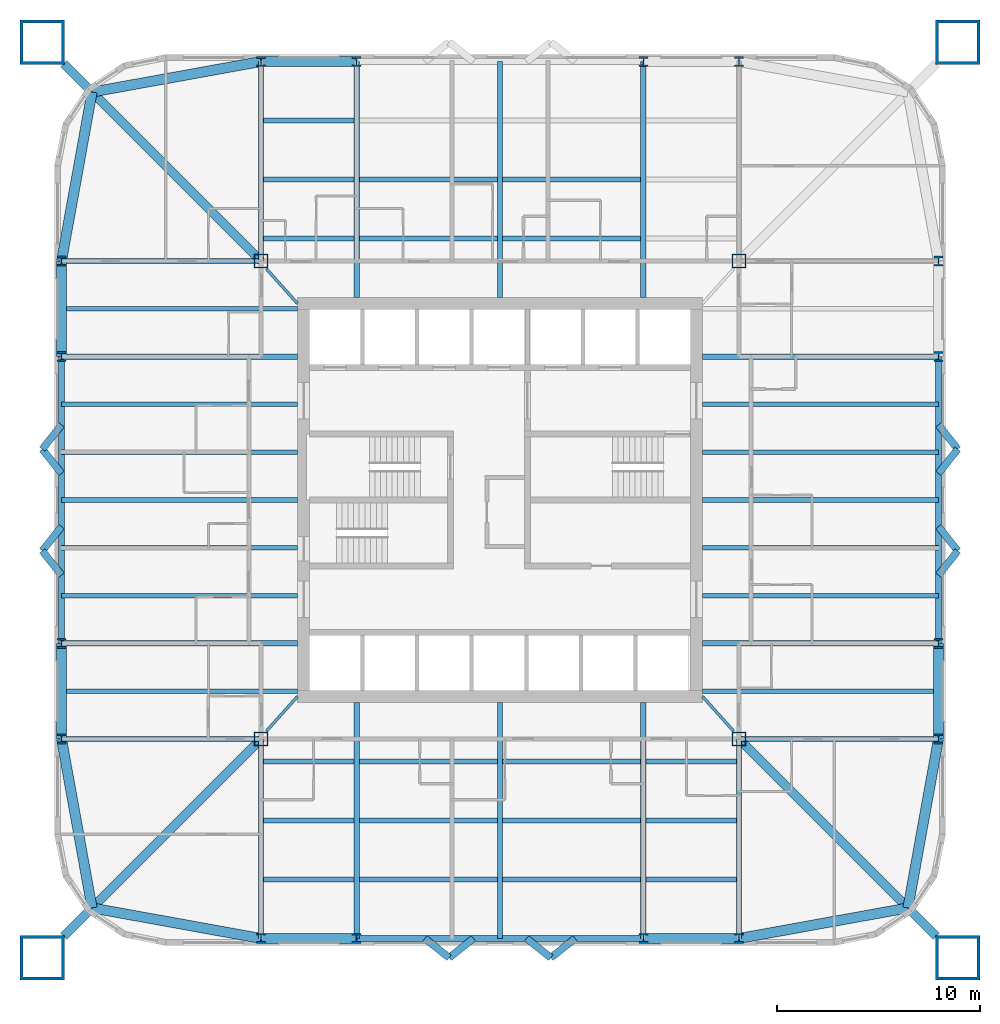
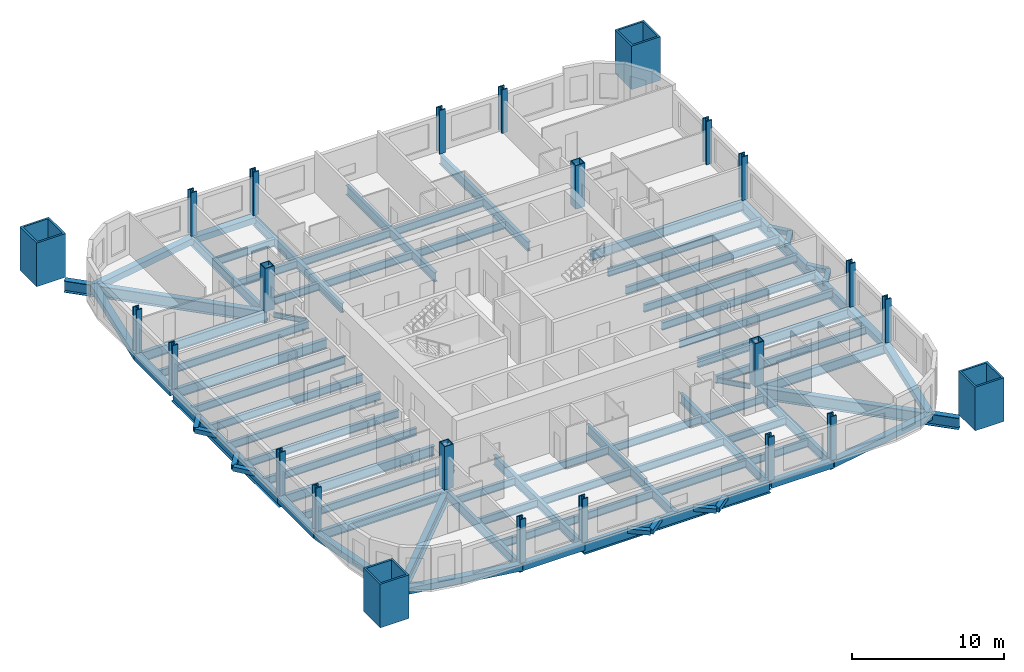
# One storey, part 1 of 10: 81 beams, 24 columns.
"""IFC4 building model written with IfcOpenShell, lengths in metres."""

from ifc_helpers import new_model, si_unit, direction, frame, origin, origin_2d, place, context, subcontext, project, spatial, hollow_rectangle, i_section, extrude, material, material_profile, profile_set, type_object, element, save


model = new_model("IFC4")

# Units and contexts
model_context = context("Model", 3, precision=1e-05, world=origin(), true_north=direction((0.0, 1.0)))
body_context = subcontext(model_context, "Body", "Model", "MODEL_VIEW")
ifc_project = project(units=[si_unit("LENGTHUNIT", "METRE"), si_unit("AREAUNIT", "SQUARE_METRE"), si_unit("VOLUMEUNIT", "CUBIC_METRE"), si_unit("PLANEANGLEUNIT", "RADIAN"), si_unit("MASSUNIT", "GRAM", prefix="KILO")], contexts=[model_context])

# Site, building, storey
site_placement = place(None, origin())
site = spatial("IfcSite", under=ifc_project, at=site_placement, CompositionType="ELEMENT")
building_placement = place(site_placement, origin())
building = spatial("IfcBuilding", under=site, at=building_placement, Name="Turquesa Mirador Hotel Tower", CompositionType="ELEMENT")
storey_placement = place(building_placement, frame((0.0, 0.0, 53.0)))
storey = spatial("IfcBuildingStorey", under=building, at=storey_placement, Name="L13", CompositionType="ELEMENT", Elevation=53.0)

# Columns
ifc_material_1 = material(Name="Steel ASTM A572 Grade 50", Category="steel")
ifc_material_profile_1 = material_profile(ifc_material_1, hollow_rectangle(XDim=0.699951171875, YDim=0.699951171875, WallThickness=0.06005859375, at=origin_2d()), Name="BOX700X700X60")
ifc_profile_set_1 = profile_set([ifc_material_profile_1], Name="Steel ASTM A572 Grade 50")
column_type_1 = type_object("IfcColumnType", Name="COLUMN BOX700X700X60", PredefinedType="COLUMN", material=ifc_profile_set_1)
for number, where, z_axis, x_axis, name in (
    (1, (43.199951171875, 33.199951171875, 0.0), (0.0, 0.0, 1.0), (1.0, 0.0, 0.0), "COL-L13-K--11.80--11.80"),
    (2, (43.199951171875, 56.800048828125, 0.0), (0.0, 0.0, 1.0), (1.0, 0.0, 0.0), "COL-L13-K--11.80-+11.80"),
    (3, (66.800048828125, 33.199951171875, 0.0), (0.0, 0.0, 1.0), (1.0, 0.0, 0.0), "COL-L13-K-+11.80--11.80"),
    (4, (66.800048828125, 56.800048828125, 0.0), (0.0, 0.0, 1.0), (1.0, 0.0, 0.0), "COL-L13-K-+11.80-+11.80"),
):
    element("IfcColumn", number, at=place(storey_placement, frame(where, z_axis=z_axis, x_axis=x_axis)), inside=storey, type_object=column_type_1, Name=name, PredefinedType="COLUMN", context=body_context, shape_type="SweptSolid", body=[
        extrude(hollow_rectangle(XDim=0.699951171875, YDim=0.699951171875, WallThickness=0.06005859375, at=origin_2d()), origin(), (0.0, 0.0, 1.0), 3.5),
    ])
ifc_material_2 = material(Name="Steel ASTM A992 Grade 50", Category="steel")
ifc_material_profile_2 = material_profile(ifc_material_2, i_section(OverallWidth=0.431884765625, OverallDepth=0.497802734375, WebThickness=0.0556640625, FlangeThickness=0.0888671875, at=origin_2d()), Name="W14X500")
ifc_profile_set_2 = profile_set([ifc_material_profile_2], Name="Steel ASTM A992 Grade 50")
column_type_2 = type_object("IfcColumnType", Name="COLUMN W14X500", PredefinedType="COLUMN", material=ifc_profile_set_2)
for number, where, z_axis, x_axis, name in (
    (5, (33.35009765625, 33.199951171875, 0.0), (0.0, 0.0, 1.0), (1.0, 0.0, 0.0), "COL-L13-P--21.65--11.80"),
    (6, (33.35009765625, 37.919921875, 0.0), (0.0, 0.0, 1.0), (1.0, 0.0, 0.0), "COL-L13-P--21.65--7.08"),
    (7, (33.35009765625, 52.080078125, 0.0), (0.0, 0.0, 1.0), (1.0, 0.0, 0.0), "COL-L13-P--21.65-+7.08"),
    (8, (33.35009765625, 56.800048828125, 0.0), (0.0, 0.0, 1.0), (1.0, 0.0, 0.0), "COL-L13-P--21.65-+11.80"),
    (9, (43.199951171875, 23.35009765625, 0.0), (0.0, 0.0, 1.0), (1.0, 0.0, 0.0), "COL-L13-P--11.80--21.65"),
    (10, (43.199951171875, 66.64990234375, 0.0), (0.0, 0.0, 1.0), (1.0, 0.0, 0.0), "COL-L13-P--11.80-+21.65"),
    (11, (47.919921875, 23.35009765625, 0.0), (0.0, 0.0, 1.0), (1.0, 0.0, 0.0), "COL-L13-P--7.08--21.65"),
    (12, (47.919921875, 66.64990234375, 0.0), (0.0, 0.0, 1.0), (1.0, 0.0, 0.0), "COL-L13-P--7.08-+21.65"),
    (13, (62.080078125, 23.35009765625, 0.0), (0.0, 0.0, 1.0), (1.0, 0.0, 0.0), "COL-L13-P-+7.08--21.65"),
    (14, (62.080078125, 66.64990234375, 0.0), (0.0, 0.0, 1.0), (1.0, 0.0, 0.0), "COL-L13-P-+7.08-+21.65"),
    (15, (66.800048828125, 23.35009765625, 0.0), (0.0, 0.0, 1.0), (1.0, 0.0, 0.0), "COL-L13-P-+11.80--21.65"),
    (16, (66.800048828125, 66.64990234375, 0.0), (0.0, 0.0, 1.0), (1.0, 0.0, 0.0), "COL-L13-P-+11.80-+21.65"),
    (17, (76.64990234375, 33.199951171875, 0.0), (0.0, 0.0, 1.0), (1.0, 0.0, 0.0), "COL-L13-P-+21.65--11.80"),
    (18, (76.64990234375, 37.919921875, 0.0), (0.0, 0.0, 1.0), (1.0, 0.0, 0.0), "COL-L13-P-+21.65--7.08"),
    (19, (76.64990234375, 52.080078125, 0.0), (0.0, 0.0, 1.0), (1.0, 0.0, 0.0), "COL-L13-P-+21.65-+7.08"),
    (20, (76.64990234375, 56.800048828125, 0.0), (0.0, 0.0, 1.0), (1.0, 0.0, 0.0), "COL-L13-P-+21.65-+11.80"),
):
    element("IfcColumn", number, at=place(storey_placement, frame(where, z_axis=z_axis, x_axis=x_axis)), inside=storey, type_object=column_type_2, Name=name, PredefinedType="COLUMN", context=body_context, shape_type="SweptSolid", body=[
        extrude(i_section(OverallWidth=0.431884765625, OverallDepth=0.497802734375, WebThickness=0.0556640625, FlangeThickness=0.0888671875, at=origin_2d()), origin(), (0.0, 0.0, 1.0), 3.5),
    ])
ifc_material_3 = material(Name="Steel ASTM A514 Grade Q", Category="steel")
ifc_material_profile_3 = material_profile(ifc_material_3, hollow_rectangle(XDim=2.199951171875, YDim=2.199951171875, WallThickness=0.14990234375, at=origin_2d()), Name="BOX2200X2200X150")
ifc_profile_set_3 = profile_set([ifc_material_profile_3], Name="Steel ASTM A514 Grade Q")
column_type_3 = type_object("IfcColumnType", Name="MEGA COLUMN BOX2200X2200X150", PredefinedType="COLUMN", material=ifc_profile_set_3)
for number, where, z_axis, x_axis, name in (
    (21, (77.60009765625, 67.60009765625, 0.0), (0.0, 0.0, 1.0), (1.0, 0.0, 0.0), "Mega column M1"),
    (22, (32.39990234375, 67.60009765625, 0.0), (0.0, 0.0, 1.0), (1.0, 0.0, 0.0), "Mega column M2"),
    (23, (32.39990234375, 22.39990234375, 0.0), (0.0, 0.0, 1.0), (1.0, 0.0, 0.0), "Mega column M3"),
    (24, (77.60009765625, 22.39990234375, 0.0), (0.0, 0.0, 1.0), (1.0, 0.0, 0.0), "Mega column M4"),
):
    element("IfcColumn", number, at=place(storey_placement, frame(where, z_axis=z_axis, x_axis=x_axis)), inside=storey, type_object=column_type_3, Name=name, PredefinedType="COLUMN", context=body_context, shape_type="SweptSolid", body=[
        extrude(hollow_rectangle(XDim=2.199951171875, YDim=2.199951171875, WallThickness=0.14990234375, at=origin_2d()), origin(), (0.0, 0.0, 1.0), 3.5),
    ])

# Beams
ifc_material_4 = material(Name="Steel ASTM A572 Grade 50", Category="steel")
ifc_material_profile_4 = material_profile(ifc_material_4, hollow_rectangle(XDim=0.5, YDim=0.5, WallThickness=0.01611328125, at=origin_2d()), Name="BOX500X500X16")
ifc_profile_set_4 = profile_set([ifc_material_profile_4], Name="Steel ASTM A572 Grade 50")
beam_type_1 = type_object("IfcBeamType", Name="BEAM BOX500X500X16", PredefinedType="BEAM", material=ifc_profile_set_4)
for number, where, z_axis, x_axis, name in (
    (25, (43.199951171875, 66.64990234375, -0.419921875), (1.0, 0.0, 0.0), (0.0, 1.0, 0.0), "EB-L13-N-L"),
    (26, (43.199951171875, 23.35009765625, -0.419921875), (1.0, 0.0, 0.0), (0.0, 1.0, 0.0), "EB-L13-S-L"),
    (27, (62.080078125, 23.35009765625, -0.419921875), (1.0, 0.0, 0.0), (0.0, 1.0, 0.0), "EB-L13-S-R"),
    (28, (76.64990234375, 33.199951171875, -0.419921875), (0.0, 1.0, 0.0), (-1.0, 0.0, 0.0), "EB-L13-E-L"),
    (29, (33.35009765625, 33.199951171875, -0.419921875), (0.0, 1.0, 0.0), (-1.0, 0.0, 0.0), "EB-L13-W-L"),
    (30, (33.35009765625, 52.080078125, -0.419921875), (0.0, 1.0, 0.0), (-1.0, 0.0, 0.0), "EB-L13-W-R"),
):
    element("IfcBeam", number, at=place(storey_placement, frame(where, z_axis=z_axis, x_axis=x_axis)), inside=storey, type_object=beam_type_1, Name=name, PredefinedType="BEAM", context=body_context, shape_type="SweptSolid", body=[
        extrude(hollow_rectangle(XDim=0.5, YDim=0.5, WallThickness=0.01611328125, at=origin_2d()), origin(), (0.0, 0.0, 1.0), 4.719970703125),
    ])
for number, where, z_axis, x_axis, name in (
    (31, (33.35009765625, 56.800048828125, -0.419921875), (0.177932387818, 0.984042715214, 0.0), (-0.984042715214, 0.177932387818, 0.0), "KE-L13-2-0"),
    (32, (34.8583984375, 65.1416015625, -0.419921875), (0.984042715214, 0.177932387818, 0.0), (-0.177932387818, 0.984042715214, 0.0), "KE-L13-2-1"),
    (33, (33.35009765625, 33.199951171875, -0.419921875), (0.177932387818, -0.984042715214, 0.0), (0.984042715214, 0.177932387818, 0.0), "KE-L13-3-0"),
    (34, (34.8583984375, 24.8583984375, -0.419921875), (0.984042715214, -0.177932387818, 0.0), (0.177932387818, 0.984042715214, 0.0), "KE-L13-3-1"),
    (35, (76.64990234375, 33.199951171875, -0.419921875), (-0.177932387818, -0.984042715214, 0.0), (0.984042715214, -0.177932387818, 0.0), "KE-L13-4-0"),
    (36, (75.1416015625, 24.8583984375, -0.419921875), (-0.984042715214, -0.177932387818, 0.0), (0.177932387818, -0.984042715214, 0.0), "KE-L13-4-1"),
):
    element("IfcBeam", number, at=place(storey_placement, frame(where, z_axis=z_axis, x_axis=x_axis)), inside=storey, type_object=beam_type_1, Name=name, PredefinedType="BEAM", context=body_context, shape_type="SweptSolid", body=[
        extrude(hollow_rectangle(XDim=0.5, YDim=0.5, WallThickness=0.01611328125, at=origin_2d()), origin(), (0.0, 0.0, 1.0), 8.476806640625),
    ])
ifc_material_5 = material(Name="Steel ASTM A992 Grade 50", Category="steel")
ifc_material_profile_5 = material_profile(ifc_material_5, i_section(OverallWidth=0.140380859375, OverallDepth=0.40380859375, WebThickness=0.007080078125, FlangeThickness=0.01123046875, at=origin_2d()), Name="W16X31")
ifc_profile_set_5 = profile_set([ifc_material_profile_5], Name="Steel ASTM A992 Grade 50")
beam_type_2 = type_object("IfcBeamType", Name="BEAM W16X31", PredefinedType="BEAM", material=ifc_profile_set_5)
for number, where, z_axis, x_axis, name in (
    (37, (43.470458984375, 56.40966796875, -0.371826171875), (0.666745084392, -0.745285846129, 0.0), (0.745285846129, 0.666745084392, 0.0), "KT-L13-2"),
    (38, (43.470458984375, 33.59033203125, -0.371826171875), (0.666745084392, 0.745285846129, 0.0), (-0.745285846129, 0.666745084392, 0.0), "KT-L13-3"),
    (39, (66.529541015625, 33.59033203125, -0.371826171875), (-0.666745084392, 0.745285846129, 0.0), (-0.745285846129, -0.666745084392, 0.0), "KT-L13-4"),
):
    element("IfcBeam", number, at=place(storey_placement, frame(where, z_axis=z_axis, x_axis=x_axis)), inside=storey, type_object=beam_type_2, Name=name, PredefinedType="BEAM", context=body_context, shape_type="SweptSolid", body=[
        extrude(i_section(OverallWidth=0.140380859375, OverallDepth=0.40380859375, WebThickness=0.007080078125, FlangeThickness=0.01123046875, at=origin_2d()), origin(), (0.0, 0.0, 1.0), 2.2939453125),
    ])
ifc_material_6 = material(Name="Steel ASTM A992 Grade 50", Category="steel")
ifc_material_profile_6 = material_profile(ifc_material_6, i_section(OverallWidth=0.228271484375, OverallDepth=0.607177734375, WebThickness=0.01123046875, FlangeThickness=0.017333984375, at=origin_2d()), Name="W24X76")
ifc_profile_set_6 = profile_set([ifc_material_profile_6], Name="Steel ASTM A992 Grade 50")
beam_type_3 = type_object("IfcBeamType", Name="BEAM W24X76", PredefinedType="BEAM", material=ifc_profile_set_6)
beam_1_placement = place(storey_placement, frame((43.333251953125, 57.912109375, -0.4736328125), z_axis=(1.0, 0.0, 0.0), x_axis=(0.0, 1.0, 0.0)))
element("IfcBeam", 40, at=beam_1_placement, inside=storey, type_object=beam_type_3, Name="IB-L13-N-1-0", PredefinedType="BEAM", context=body_context, shape_type="SweptSolid", body=[
    extrude(i_section(OverallWidth=0.228271484375, OverallDepth=0.607177734375, WebThickness=0.01123046875, FlangeThickness=0.017333984375, at=origin_2d()), origin(), (0.0, 0.0, 1.0), 4.453369140625),
])
for number, where, z_axis, x_axis, name in (
    (41, (48.053466796875, 57.912109375, -0.4736328125), (1.0, 0.0, 0.0), (0.0, 1.0, 0.0), "IB-L13-N-1-1"),
    (42, (55.13330078125, 57.912109375, -0.4736328125), (1.0, 0.0, 0.0), (0.0, 1.0, 0.0), "IB-L13-N-1-2"),
):
    element("IfcBeam", number, at=place(storey_placement, frame(where, z_axis=z_axis, x_axis=x_axis)), inside=storey, type_object=beam_type_3, Name=name, PredefinedType="BEAM", context=body_context, shape_type="SweptSolid", body=[
        extrude(i_section(OverallWidth=0.228271484375, OverallDepth=0.607177734375, WebThickness=0.01123046875, FlangeThickness=0.017333984375, at=origin_2d()), origin(), (0.0, 0.0, 1.0), 6.813232421875),
    ])
beam_2_placement = place(storey_placement, frame((43.333251953125, 60.824951171875, -0.4736328125), z_axis=(1.0, 0.0, 0.0), x_axis=(0.0, 1.0, 0.0)))
element("IfcBeam", 43, at=beam_2_placement, inside=storey, type_object=beam_type_3, Name="IB-L13-N-2-0", PredefinedType="BEAM", context=body_context, shape_type="SweptSolid", body=[
    extrude(i_section(OverallWidth=0.228271484375, OverallDepth=0.607177734375, WebThickness=0.01123046875, FlangeThickness=0.017333984375, at=origin_2d()), origin(), (0.0, 0.0, 1.0), 4.453369140625),
])
for number, where, z_axis, x_axis, name in (
    (44, (48.053466796875, 60.824951171875, -0.4736328125), (1.0, 0.0, 0.0), (0.0, 1.0, 0.0), "IB-L13-N-2-1"),
    (45, (55.13330078125, 60.824951171875, -0.4736328125), (1.0, 0.0, 0.0), (0.0, 1.0, 0.0), "IB-L13-N-2-2"),
):
    element("IfcBeam", number, at=place(storey_placement, frame(where, z_axis=z_axis, x_axis=x_axis)), inside=storey, type_object=beam_type_3, Name=name, PredefinedType="BEAM", context=body_context, shape_type="SweptSolid", body=[
        extrude(i_section(OverallWidth=0.228271484375, OverallDepth=0.607177734375, WebThickness=0.01123046875, FlangeThickness=0.017333984375, at=origin_2d()), origin(), (0.0, 0.0, 1.0), 6.813232421875),
    ])
for number, where, z_axis, x_axis, name in (
    (46, (43.333251953125, 63.737060546875, -0.4736328125), (1.0, 0.0, 0.0), (0.0, 1.0, 0.0), "IB-L13-N-3-0"),
    (47, (43.333251953125, 32.087890625, -0.4736328125), (1.0, 0.0, 0.0), (0.0, 1.0, 0.0), "IB-L13-S-1-0"),
):
    element("IfcBeam", number, at=place(storey_placement, frame(where, z_axis=z_axis, x_axis=x_axis)), inside=storey, type_object=beam_type_3, Name=name, PredefinedType="BEAM", context=body_context, shape_type="SweptSolid", body=[
        extrude(i_section(OverallWidth=0.228271484375, OverallDepth=0.607177734375, WebThickness=0.01123046875, FlangeThickness=0.017333984375, at=origin_2d()), origin(), (0.0, 0.0, 1.0), 4.453369140625),
    ])
for number, where, z_axis, x_axis, name in (
    (48, (48.053466796875, 32.087890625, -0.4736328125), (1.0, 0.0, 0.0), (0.0, 1.0, 0.0), "IB-L13-S-1-1"),
    (49, (55.13330078125, 32.087890625, -0.4736328125), (1.0, 0.0, 0.0), (0.0, 1.0, 0.0), "IB-L13-S-1-2"),
):
    element("IfcBeam", number, at=place(storey_placement, frame(where, z_axis=z_axis, x_axis=x_axis)), inside=storey, type_object=beam_type_3, Name=name, PredefinedType="BEAM", context=body_context, shape_type="SweptSolid", body=[
        extrude(i_section(OverallWidth=0.228271484375, OverallDepth=0.607177734375, WebThickness=0.01123046875, FlangeThickness=0.017333984375, at=origin_2d()), origin(), (0.0, 0.0, 1.0), 6.813232421875),
    ])
for number, where, z_axis, x_axis, name in (
    (50, (62.21337890625, 32.087890625, -0.4736328125), (1.0, 0.0, 0.0), (0.0, 1.0, 0.0), "IB-L13-S-1-3"),
    (51, (43.333251953125, 29.175048828125, -0.4736328125), (1.0, 0.0, 0.0), (0.0, 1.0, 0.0), "IB-L13-S-2-0"),
):
    element("IfcBeam", number, at=place(storey_placement, frame(where, z_axis=z_axis, x_axis=x_axis)), inside=storey, type_object=beam_type_3, Name=name, PredefinedType="BEAM", context=body_context, shape_type="SweptSolid", body=[
        extrude(i_section(OverallWidth=0.228271484375, OverallDepth=0.607177734375, WebThickness=0.01123046875, FlangeThickness=0.017333984375, at=origin_2d()), origin(), (0.0, 0.0, 1.0), 4.453369140625),
    ])
for number, where, z_axis, x_axis, name in (
    (52, (48.053466796875, 29.175048828125, -0.4736328125), (1.0, 0.0, 0.0), (0.0, 1.0, 0.0), "IB-L13-S-2-1"),
    (53, (55.13330078125, 29.175048828125, -0.4736328125), (1.0, 0.0, 0.0), (0.0, 1.0, 0.0), "IB-L13-S-2-2"),
):
    element("IfcBeam", number, at=place(storey_placement, frame(where, z_axis=z_axis, x_axis=x_axis)), inside=storey, type_object=beam_type_3, Name=name, PredefinedType="BEAM", context=body_context, shape_type="SweptSolid", body=[
        extrude(i_section(OverallWidth=0.228271484375, OverallDepth=0.607177734375, WebThickness=0.01123046875, FlangeThickness=0.017333984375, at=origin_2d()), origin(), (0.0, 0.0, 1.0), 6.813232421875),
    ])
for number, where, z_axis, x_axis, name in (
    (54, (62.21337890625, 29.175048828125, -0.4736328125), (1.0, 0.0, 0.0), (0.0, 1.0, 0.0), "IB-L13-S-2-3"),
    (55, (43.333251953125, 26.262939453125, -0.4736328125), (1.0, 0.0, 0.0), (0.0, 1.0, 0.0), "IB-L13-S-3-0"),
):
    element("IfcBeam", number, at=place(storey_placement, frame(where, z_axis=z_axis, x_axis=x_axis)), inside=storey, type_object=beam_type_3, Name=name, PredefinedType="BEAM", context=body_context, shape_type="SweptSolid", body=[
        extrude(i_section(OverallWidth=0.228271484375, OverallDepth=0.607177734375, WebThickness=0.01123046875, FlangeThickness=0.017333984375, at=origin_2d()), origin(), (0.0, 0.0, 1.0), 4.453369140625),
    ])
for number, where, z_axis, x_axis, name in (
    (56, (48.053466796875, 26.262939453125, -0.4736328125), (1.0, 0.0, 0.0), (0.0, 1.0, 0.0), "IB-L13-S-3-1"),
    (57, (55.13330078125, 26.262939453125, -0.4736328125), (1.0, 0.0, 0.0), (0.0, 1.0, 0.0), "IB-L13-S-3-2"),
):
    element("IfcBeam", number, at=place(storey_placement, frame(where, z_axis=z_axis, x_axis=x_axis)), inside=storey, type_object=beam_type_3, Name=name, PredefinedType="BEAM", context=body_context, shape_type="SweptSolid", body=[
        extrude(i_section(OverallWidth=0.228271484375, OverallDepth=0.607177734375, WebThickness=0.01123046875, FlangeThickness=0.017333984375, at=origin_2d()), origin(), (0.0, 0.0, 1.0), 6.813232421875),
    ])
beam_3_placement = place(storey_placement, frame((62.21337890625, 26.262939453125, -0.4736328125), z_axis=(1.0, 0.0, 0.0), x_axis=(0.0, 1.0, 0.0)))
element("IfcBeam", 58, at=beam_3_placement, inside=storey, type_object=beam_type_3, Name="IB-L13-S-3-3", PredefinedType="BEAM", context=body_context, shape_type="SweptSolid", body=[
    extrude(i_section(OverallWidth=0.228271484375, OverallDepth=0.607177734375, WebThickness=0.01123046875, FlangeThickness=0.017333984375, at=origin_2d()), origin(), (0.0, 0.0, 1.0), 4.453369140625),
])
for number, where, z_axis, x_axis, name in (
    (59, (76.64990234375, 35.56005859375, -0.4736328125), (-1.0, 0.0, 0.0), (0.0, -1.0, 0.0), "BM-L13-E--9.44"),
    (60, (76.64990234375, 40.280029296875, -0.4736328125), (-1.0, 0.0, 0.0), (0.0, -1.0, 0.0), "BM-L13-E--4.72"),
    (61, (76.64990234375, 42.639892578125, -0.4736328125), (-1.0, 0.0, 0.0), (0.0, -1.0, 0.0), "BM-L13-E--2.36"),
    (62, (76.64990234375, 45.0, -0.4736328125), (-1.0, 0.0, 0.0), (0.0, -1.0, 0.0), "BM-L13-E-+0.00"),
    (63, (76.64990234375, 47.360107421875, -0.4736328125), (-1.0, 0.0, 0.0), (0.0, -1.0, 0.0), "BM-L13-E-+2.36"),
    (64, (76.64990234375, 49.719970703125, -0.4736328125), (-1.0, 0.0, 0.0), (0.0, -1.0, 0.0), "BM-L13-E-+4.72"),
    (65, (33.35009765625, 35.56005859375, -0.4736328125), (1.0, 0.0, 0.0), (0.0, 1.0, 0.0), "BM-L13-W--9.44"),
    (66, (33.35009765625, 40.280029296875, -0.4736328125), (1.0, 0.0, 0.0), (0.0, 1.0, 0.0), "BM-L13-W--4.72"),
    (67, (33.35009765625, 42.639892578125, -0.4736328125), (1.0, 0.0, 0.0), (0.0, 1.0, 0.0), "BM-L13-W--2.36"),
    (68, (33.35009765625, 45.0, -0.4736328125), (1.0, 0.0, 0.0), (0.0, 1.0, 0.0), "BM-L13-W-+0.00"),
    (69, (33.35009765625, 47.360107421875, -0.4736328125), (1.0, 0.0, 0.0), (0.0, 1.0, 0.0), "BM-L13-W-+2.36"),
    (70, (33.35009765625, 49.719970703125, -0.4736328125), (1.0, 0.0, 0.0), (0.0, 1.0, 0.0), "BM-L13-W-+4.72"),
    (71, (33.35009765625, 54.43994140625, -0.4736328125), (1.0, 0.0, 0.0), (0.0, 1.0, 0.0), "BM-L13-W-+9.44"),
):
    element("IfcBeam", number, at=place(storey_placement, frame(where, z_axis=z_axis, x_axis=x_axis)), inside=storey, type_object=beam_type_3, Name=name, PredefinedType="BEAM", context=body_context, shape_type="SweptSolid", body=[
        extrude(i_section(OverallWidth=0.228271484375, OverallDepth=0.607177734375, WebThickness=0.01123046875, FlangeThickness=0.017333984375, at=origin_2d()), origin(), (0.0, 0.0, 1.0), 11.64990234375),
    ])
ifc_material_7 = material(Name="Steel ASTM A992 Grade 50", Category="steel")
ifc_material_profile_7 = material_profile(ifc_material_7, i_section(OverallWidth=0.2666015625, OverallDepth=0.7568359375, WebThickness=0.013916015625, FlangeThickness=0.019287109375, at=origin_2d()), Name="W30X108")
ifc_profile_set_7 = profile_set([ifc_material_profile_7], Name="Steel ASTM A992 Grade 50")
beam_type_4 = type_object("IfcBeamType", Name="BEAM W30X108", PredefinedType="BEAM", material=ifc_profile_set_7)
for number, where, z_axis, x_axis, name in (
    (72, (47.919921875, 66.64990234375, -0.54833984375), (0.0, -1.0, 0.0), (1.0, 0.0, 0.0), "GD-L13-N--7.08"),
    (73, (62.080078125, 66.64990234375, -0.54833984375), (0.0, -1.0, 0.0), (1.0, 0.0, 0.0), "GD-L13-N-+7.08"),
    (74, (55.0, 66.64990234375, -0.54833984375), (0.0, -1.0, 0.0), (1.0, 0.0, 0.0), "GD-L13-N-+0.00"),
):
    element("IfcBeam", number, at=place(storey_placement, frame(where, z_axis=z_axis, x_axis=x_axis)), inside=storey, type_object=beam_type_4, Name=name, PredefinedType="BEAM", context=body_context, shape_type="SweptSolid", body=[
        extrude(i_section(OverallWidth=0.2666015625, OverallDepth=0.7568359375, WebThickness=0.013916015625, FlangeThickness=0.019287109375, at=origin_2d()), origin(), (0.0, 0.0, 1.0), 11.64990234375),
    ])
beam_4_placement = place(storey_placement, frame((43.199951171875, 66.64990234375, -0.54833984375), z_axis=(0.0, -1.0, 0.0), x_axis=(1.0, 0.0, 0.0)))
element("IfcBeam", 75, at=beam_4_placement, inside=storey, type_object=beam_type_4, Name="GK-L13-N--11.80", PredefinedType="BEAM", context=body_context, shape_type="SweptSolid", body=[
    extrude(i_section(OverallWidth=0.2666015625, OverallDepth=0.7568359375, WebThickness=0.013916015625, FlangeThickness=0.019287109375, at=origin_2d()), origin(), (0.0, 0.0, 1.0), 9.849853515625),
])
for number, where, z_axis, x_axis, name in (
    (76, (47.919921875, 23.35009765625, -0.54833984375), (0.0, 1.0, 0.0), (-1.0, 0.0, 0.0), "GD-L13-S--7.08"),
    (77, (62.080078125, 23.35009765625, -0.54833984375), (0.0, 1.0, 0.0), (-1.0, 0.0, 0.0), "GD-L13-S-+7.08"),
    (78, (55.0, 23.35009765625, -0.54833984375), (0.0, 1.0, 0.0), (-1.0, 0.0, 0.0), "GD-L13-S-+0.00"),
):
    element("IfcBeam", number, at=place(storey_placement, frame(where, z_axis=z_axis, x_axis=x_axis)), inside=storey, type_object=beam_type_4, Name=name, PredefinedType="BEAM", context=body_context, shape_type="SweptSolid", body=[
        extrude(i_section(OverallWidth=0.2666015625, OverallDepth=0.7568359375, WebThickness=0.013916015625, FlangeThickness=0.019287109375, at=origin_2d()), origin(), (0.0, 0.0, 1.0), 11.64990234375),
    ])
for number, where, z_axis, x_axis, name in (
    (79, (43.199951171875, 23.35009765625, -0.54833984375), (0.0, 1.0, 0.0), (-1.0, 0.0, 0.0), "GK-L13-S--11.80"),
    (80, (66.800048828125, 23.35009765625, -0.54833984375), (0.0, 1.0, 0.0), (-1.0, 0.0, 0.0), "GK-L13-S-+11.80"),
):
    element("IfcBeam", number, at=place(storey_placement, frame(where, z_axis=z_axis, x_axis=x_axis)), inside=storey, type_object=beam_type_4, Name=name, PredefinedType="BEAM", context=body_context, shape_type="SweptSolid", body=[
        extrude(i_section(OverallWidth=0.2666015625, OverallDepth=0.7568359375, WebThickness=0.013916015625, FlangeThickness=0.019287109375, at=origin_2d()), origin(), (0.0, 0.0, 1.0), 9.849853515625),
    ])
for number, where, z_axis, x_axis, name in (
    (81, (76.64990234375, 37.919921875, -0.54833984375), (-1.0, 0.0, 0.0), (0.0, -1.0, 0.0), "GD-L13-E--7.08"),
    (82, (76.64990234375, 52.080078125, -0.54833984375), (-1.0, 0.0, 0.0), (0.0, -1.0, 0.0), "GD-L13-E-+7.08"),
):
    element("IfcBeam", number, at=place(storey_placement, frame(where, z_axis=z_axis, x_axis=x_axis)), inside=storey, type_object=beam_type_4, Name=name, PredefinedType="BEAM", context=body_context, shape_type="SweptSolid", body=[
        extrude(i_section(OverallWidth=0.2666015625, OverallDepth=0.7568359375, WebThickness=0.013916015625, FlangeThickness=0.019287109375, at=origin_2d()), origin(), (0.0, 0.0, 1.0), 11.64990234375),
    ])
beam_5_placement = place(storey_placement, frame((76.64990234375, 33.199951171875, -0.54833984375), z_axis=(-1.0, 0.0, 0.0), x_axis=(0.0, -1.0, 0.0)))
element("IfcBeam", 83, at=beam_5_placement, inside=storey, type_object=beam_type_4, Name="GK-L13-E--11.80", PredefinedType="BEAM", context=body_context, shape_type="SweptSolid", body=[
    extrude(i_section(OverallWidth=0.2666015625, OverallDepth=0.7568359375, WebThickness=0.013916015625, FlangeThickness=0.019287109375, at=origin_2d()), origin(), (0.0, 0.0, 1.0), 9.849853515625),
])
for number, where, z_axis, x_axis, name in (
    (84, (33.35009765625, 37.919921875, -0.54833984375), (1.0, 0.0, 0.0), (0.0, 1.0, 0.0), "GD-L13-W--7.08"),
    (85, (33.35009765625, 52.080078125, -0.54833984375), (1.0, 0.0, 0.0), (0.0, 1.0, 0.0), "GD-L13-W-+7.08"),
):
    element("IfcBeam", number, at=place(storey_placement, frame(where, z_axis=z_axis, x_axis=x_axis)), inside=storey, type_object=beam_type_4, Name=name, PredefinedType="BEAM", context=body_context, shape_type="SweptSolid", body=[
        extrude(i_section(OverallWidth=0.2666015625, OverallDepth=0.7568359375, WebThickness=0.013916015625, FlangeThickness=0.019287109375, at=origin_2d()), origin(), (0.0, 0.0, 1.0), 11.64990234375),
    ])
for number, where, z_axis, x_axis, name in (
    (86, (33.35009765625, 33.199951171875, -0.54833984375), (1.0, 0.0, 0.0), (0.0, 1.0, 0.0), "GK-L13-W--11.80"),
    (87, (33.35009765625, 56.800048828125, -0.54833984375), (1.0, 0.0, 0.0), (0.0, 1.0, 0.0), "GK-L13-W-+11.80"),
):
    element("IfcBeam", number, at=place(storey_placement, frame(where, z_axis=z_axis, x_axis=x_axis)), inside=storey, type_object=beam_type_4, Name=name, PredefinedType="BEAM", context=body_context, shape_type="SweptSolid", body=[
        extrude(i_section(OverallWidth=0.2666015625, OverallDepth=0.7568359375, WebThickness=0.013916015625, FlangeThickness=0.019287109375, at=origin_2d()), origin(), (0.0, 0.0, 1.0), 9.849853515625),
    ])
ifc_material_8 = material(Name="Steel ASTM A992 Grade 50", Category="steel")
ifc_material_profile_8 = material_profile(ifc_material_8, i_section(OverallWidth=0.3046875, OverallDepth=0.911865234375, WebThickness=0.015869140625, FlangeThickness=0.02392578125, at=origin_2d()), Name="W36X150")
ifc_profile_set_8 = profile_set([ifc_material_profile_8], Name="Steel ASTM A992 Grade 50")
beam_type_5 = type_object("IfcBeamType", Name="BEAM W36X150", PredefinedType="BEAM", material=ifc_profile_set_8)
for number, where, z_axis, x_axis, name in (
    (88, (47.919921875, 23.35009765625, -0.6259765625), (1.0, 0.0, 0.0), (0.0, 1.0, 0.0), "EB-L13-S-C"),
    (89, (76.64990234375, 37.919921875, -0.6259765625), (0.0, 1.0, 0.0), (-1.0, 0.0, 0.0), "EB-L13-E-C"),
    (90, (33.35009765625, 37.919921875, -0.6259765625), (0.0, 1.0, 0.0), (-1.0, 0.0, 0.0), "EB-L13-W-C"),
):
    element("IfcBeam", number, at=place(storey_placement, frame(where, z_axis=z_axis, x_axis=x_axis)), inside=storey, type_object=beam_type_5, Name=name, PredefinedType="BEAM", context=body_context, shape_type="SweptSolid", body=[
        extrude(i_section(OverallWidth=0.3046875, OverallDepth=0.911865234375, WebThickness=0.015869140625, FlangeThickness=0.02392578125, at=origin_2d()), origin(), (0.0, 0.0, 1.0), 14.16015625),
    ])
ifc_material_9 = material(Name="Steel ASTM A992 Grade 50", Category="steel")
ifc_material_profile_9 = material_profile(ifc_material_9, i_section(OverallWidth=0.419189453125, OverallDepth=0.927001953125, WebThickness=0.019287109375, FlangeThickness=0.031982421875, at=origin_2d()), Name="W36X231")
ifc_profile_set_9 = profile_set([ifc_material_profile_9], Name="Steel ASTM A992 Grade 50")
beam_type_6 = type_object("IfcBeamType", Name="BEAM W36X231", PredefinedType="BEAM", material=ifc_profile_set_9)
for number, where, z_axis, x_axis, name in (
    (91, (43.199951171875, 56.800048828125, -0.633544921875), (-0.707106781187, 0.707106781187, 0.0), (-0.707106781187, -0.707106781187, 0.0), "KD-L13-2"),
    (92, (43.199951171875, 33.199951171875, -0.633544921875), (-0.707106781187, -0.707106781187, 0.0), (0.707106781187, -0.707106781187, 0.0), "KD-L13-3"),
    (93, (66.800048828125, 33.199951171875, -0.633544921875), (0.707106781187, -0.707106781187, 0.0), (0.707106781187, 0.707106781187, 0.0), "KD-L13-4"),
):
    element("IfcBeam", number, at=place(storey_placement, frame(where, z_axis=z_axis, x_axis=x_axis)), inside=storey, type_object=beam_type_6, Name=name, PredefinedType="BEAM", context=body_context, shape_type="SweptSolid", body=[
        extrude(i_section(OverallWidth=0.419189453125, OverallDepth=0.927001953125, WebThickness=0.019287109375, FlangeThickness=0.031982421875, at=origin_2d()), origin(), (0.0, 0.0, 1.0), 13.78857421875),
    ])
ifc_material_10 = material(Name="Steel ASTM A500 Grade C", Category="steel")
ifc_material_profile_10 = material_profile(ifc_material_10, hollow_rectangle(XDim=0.355712890625, YDim=0.355712890625, WallThickness=0.0146484375, at=origin_2d()), Name="HSS14X14X5/8")
ifc_profile_set_10 = profile_set([ifc_material_profile_10], Name="Steel ASTM A500 Grade C")
beam_type_7 = type_object("IfcBeamType", Name="BRACE STRUT HSS14X14X5/8", PredefinedType="BEAM", material=ifc_profile_set_10)
beam_6_placement = place(storey_placement, frame((52.48876953125, 22.39990234375, -0.347900390625), z_axis=(-0.783971428146, 0.620796907089, 0.0), x_axis=(-0.620796907089, -0.783971428146, 0.0)))
element("IfcBeam", 94, at=beam_6_placement, inside=storey, type_object=beam_type_7, Name="Brace strut", PredefinedType="BEAM", context=body_context, shape_type="SweptSolid", body=[
    extrude(hollow_rectangle(XDim=0.355712890625, YDim=0.355712890625, WallThickness=0.0146484375, at=origin_2d()), origin(), (0.0, 0.0, 1.0), 1.530517578125),
])
for number, where, z_axis, x_axis, name in (
    (95, (52.48876953125, 22.39990234375, -0.347900390625), (0.784032888399, 0.620719284306, 0.0), (-0.620719284306, 0.784032888399, 0.0), "Brace strut"),
    (96, (57.51123046875, 22.39990234375, -0.347900390625), (-0.784032888399, 0.620719284306, 0.0), (-0.620719284306, -0.784032888399, 0.0), "Brace strut"),
):
    element("IfcBeam", number, at=place(storey_placement, frame(where, z_axis=z_axis, x_axis=x_axis)), inside=storey, type_object=beam_type_7, Name=name, PredefinedType="BEAM", context=body_context, shape_type="SweptSolid", body=[
        extrude(hollow_rectangle(XDim=0.355712890625, YDim=0.355712890625, WallThickness=0.0146484375, at=origin_2d()), origin(), (0.0, 0.0, 1.0), 1.53076171875),
    ])
for number, where, z_axis, x_axis, name in (
    (97, (57.51123046875, 22.39990234375, -0.347900390625), (0.783971428146, 0.620796907089, 0.0), (-0.620796907089, 0.783971428146, 0.0), "Brace strut"),
    (98, (77.60009765625, 42.48876953125, -0.347900390625), (-0.620796907089, -0.783971428146, 0.0), (0.783971428146, -0.620796907089, 0.0), "Brace strut"),
):
    element("IfcBeam", number, at=place(storey_placement, frame(where, z_axis=z_axis, x_axis=x_axis)), inside=storey, type_object=beam_type_7, Name=name, PredefinedType="BEAM", context=body_context, shape_type="SweptSolid", body=[
        extrude(hollow_rectangle(XDim=0.355712890625, YDim=0.355712890625, WallThickness=0.0146484375, at=origin_2d()), origin(), (0.0, 0.0, 1.0), 1.530517578125),
    ])
for number, where, z_axis, x_axis, name in (
    (99, (77.60009765625, 42.48876953125, -0.347900390625), (-0.620719284306, 0.784032888399, 0.0), (-0.784032888399, -0.620719284306, 0.0), "Brace strut"),
    (100, (77.60009765625, 47.51123046875, -0.347900390625), (-0.620719284306, -0.784032888399, 0.0), (0.784032888399, -0.620719284306, 0.0), "Brace strut"),
):
    element("IfcBeam", number, at=place(storey_placement, frame(where, z_axis=z_axis, x_axis=x_axis)), inside=storey, type_object=beam_type_7, Name=name, PredefinedType="BEAM", context=body_context, shape_type="SweptSolid", body=[
        extrude(hollow_rectangle(XDim=0.355712890625, YDim=0.355712890625, WallThickness=0.0146484375, at=origin_2d()), origin(), (0.0, 0.0, 1.0), 1.53076171875),
    ])
for number, where, z_axis, x_axis, name in (
    (101, (77.60009765625, 47.51123046875, -0.347900390625), (-0.620796907089, 0.783971428146, 0.0), (-0.783971428146, -0.620796907089, 0.0), "Brace strut"),
    (102, (32.39990234375, 42.48876953125, -0.347900390625), (0.620796907089, -0.783971428146, 0.0), (0.783971428146, 0.620796907089, 0.0), "Brace strut"),
):
    element("IfcBeam", number, at=place(storey_placement, frame(where, z_axis=z_axis, x_axis=x_axis)), inside=storey, type_object=beam_type_7, Name=name, PredefinedType="BEAM", context=body_context, shape_type="SweptSolid", body=[
        extrude(hollow_rectangle(XDim=0.355712890625, YDim=0.355712890625, WallThickness=0.0146484375, at=origin_2d()), origin(), (0.0, 0.0, 1.0), 1.530517578125),
    ])
for number, where, z_axis, x_axis, name in (
    (103, (32.39990234375, 42.48876953125, -0.347900390625), (0.620719284306, 0.784032888399, 0.0), (-0.784032888399, 0.620719284306, 0.0), "Brace strut"),
    (104, (32.39990234375, 47.51123046875, -0.347900390625), (0.620719284306, -0.784032888399, 0.0), (0.784032888399, 0.620719284306, 0.0), "Brace strut"),
):
    element("IfcBeam", number, at=place(storey_placement, frame(where, z_axis=z_axis, x_axis=x_axis)), inside=storey, type_object=beam_type_7, Name=name, PredefinedType="BEAM", context=body_context, shape_type="SweptSolid", body=[
        extrude(hollow_rectangle(XDim=0.355712890625, YDim=0.355712890625, WallThickness=0.0146484375, at=origin_2d()), origin(), (0.0, 0.0, 1.0), 1.53076171875),
    ])
beam_7_placement = place(storey_placement, frame((32.39990234375, 47.51123046875, -0.347900390625), z_axis=(0.620796907089, 0.783971428146, 0.0), x_axis=(-0.783971428146, 0.620796907089, 0.0)))
element("IfcBeam", 105, at=beam_7_placement, inside=storey, type_object=beam_type_7, Name="Brace strut", PredefinedType="BEAM", context=body_context, shape_type="SweptSolid", body=[
    extrude(hollow_rectangle(XDim=0.355712890625, YDim=0.355712890625, WallThickness=0.0146484375, at=origin_2d()), origin(), (0.0, 0.0, 1.0), 1.530517578125),
])

save(model, "model.ifc")
